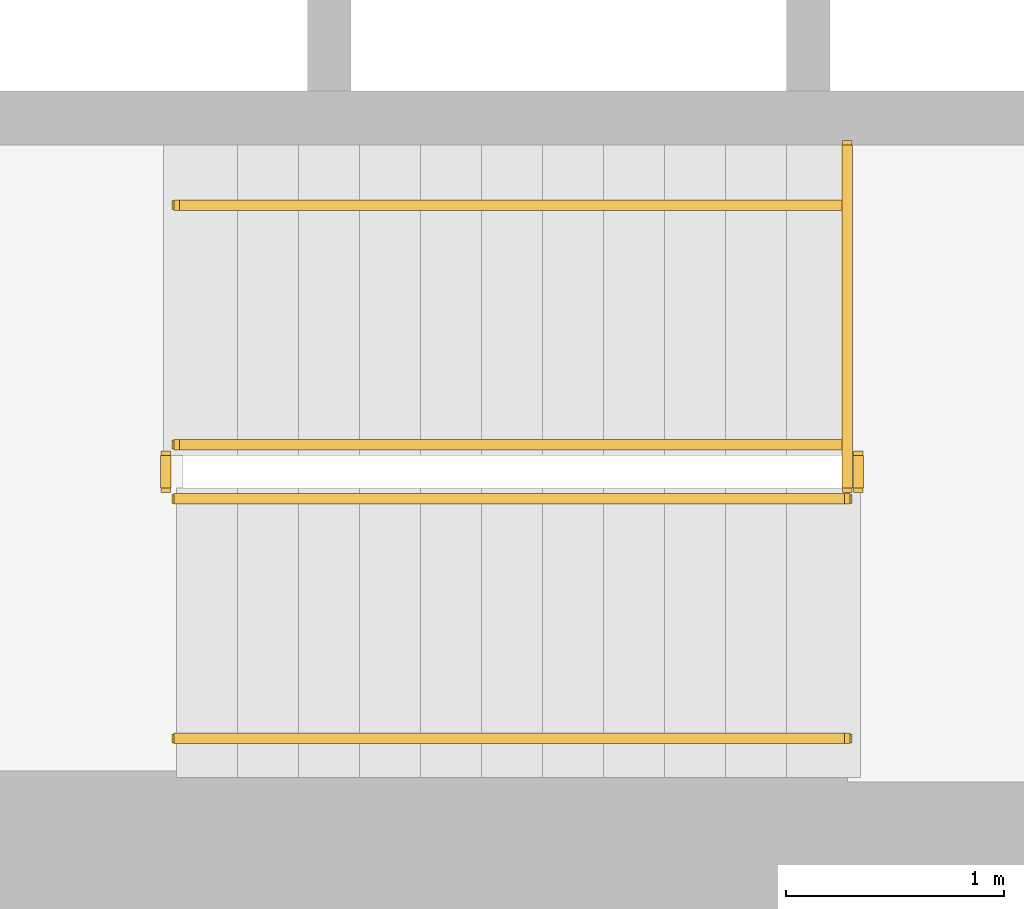
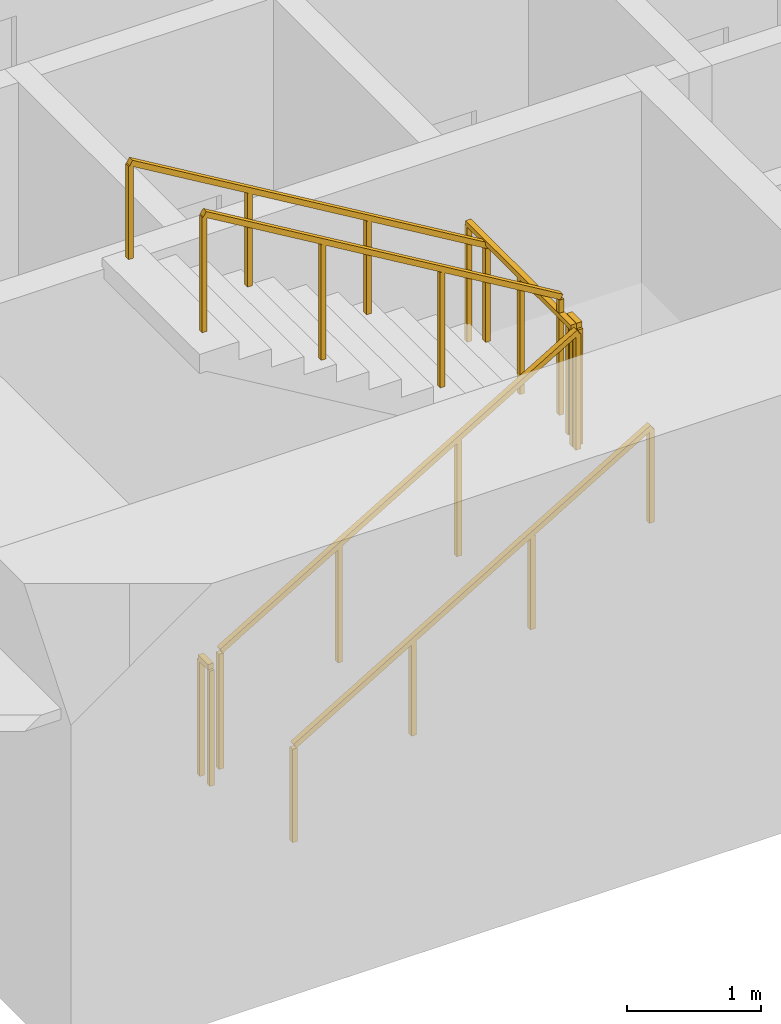
# One storey, part 13 of 16: 7 railings.
"""IFC4 building model written with IfcOpenShell, lengths in metres."""

from ifc_helpers import new_model, si_unit, direction, frame, origin, origin_2d, place, context, subcontext, project, spatial, rectangle, extrude, material, type_object, element, save


model = new_model("IFC4")

# Units and contexts
model_context = context("Model", 3, precision=1e-05, world=origin(), true_north=direction((0.0, 1.0)))
body_context = subcontext(model_context, "Body", "Model", "MODEL_VIEW")
ifc_project = project(units=[si_unit("LENGTHUNIT", "METRE"), si_unit("AREAUNIT", "SQUARE_METRE"), si_unit("VOLUMEUNIT", "CUBIC_METRE"), si_unit("PLANEANGLEUNIT", "RADIAN"), si_unit("MASSUNIT", "GRAM", prefix="KILO")], contexts=[model_context])

# Site, building, storey
site_placement = place(None, origin())
site = spatial("IfcSite", under=ifc_project, at=site_placement, CompositionType="ELEMENT")
building_placement = place(site_placement, origin())
building = spatial("IfcBuilding", under=site, at=building_placement, Name="Sennacour Bend Tower", CompositionType="ELEMENT")
storey_placement = place(building_placement, frame((0.0, 0.0, 73.0)))
storey = spatial("IfcBuildingStorey", under=building, at=storey_placement, Name="L16", CompositionType="ELEMENT", Elevation=73.0)

# Railings
ifc_material = material(Name="Stainless steel", Category="steel")
railing_type_1 = type_object("IfcRailingType", Name="RL-GUARD-1100", PredefinedType="GUARDRAIL", material=ifc_material)
railing_1_placement = place(storey_placement, frame((56.699951171875, 2.449951171875, 0.166748046875)))
element("IfcRailing", 1, at=railing_1_placement, inside=storey, type_object=railing_type_1, Name="L16 SA1 stair guard 1", PredefinedType="GUARDRAIL", context=body_context, shape_type="SweptSolid", body=[
    extrude(rectangle(XDim=0.048095703125, YDim=0.048095703125, at=origin_2d()), frame((0.0, 0.0, 1.076171875), z_axis=(0.859308565015, 0.0, 0.511457515432), x_axis=(0.0, 1.0, 0.0)), (0.0, 0.0, 1.0), 3.58447265625),
    extrude(rectangle(XDim=0.0419921875, YDim=0.0419921875, at=origin_2d()), origin(), (0.0, 0.0, 1.0), 1.052001953125),
    extrude(rectangle(XDim=0.0419921875, YDim=0.0419921875, at=origin_2d()), frame((1.026611328125, 0.0, 0.611083984375)), (0.0, 0.0, 1.0), 1.052001953125),
    extrude(rectangle(XDim=0.0419921875, YDim=0.0419921875, at=origin_2d()), frame((2.053466796875, 0.0, 1.22216796875)), (0.0, 0.0, 1.0), 1.052001953125),
    extrude(rectangle(XDim=0.0419921875, YDim=0.0419921875, at=origin_2d()), frame((3.080078125, 0.0, 1.833251953125)), (0.0, 0.0, 1.0), 1.052001953125),
])
railing_2_placement = place(storey_placement, frame((59.830078125, 2.5, 2.0)))
element("IfcRailing", 2, at=railing_2_placement, inside=storey, type_object=railing_type_1, Name="L16 SA1 stair guard 2", PredefinedType="GUARDRAIL", context=body_context, shape_type="SweptSolid", body=[
    extrude(rectangle(XDim=0.048095703125, YDim=0.048095703125, at=origin_2d()), frame((0.0, 0.0, 1.076171875), z_axis=(0.0, 1.0, 0.0), x_axis=(-1.0, 0.0, 0.0)), (0.0, 0.0, 1.0), 0.14990234375),
    extrude(rectangle(XDim=0.0419921875, YDim=0.0419921875, at=origin_2d()), origin(), (0.0, 0.0, 1.0), 1.052001953125),
    extrude(rectangle(XDim=0.0419921875, YDim=0.0419921875, at=origin_2d()), frame((0.0, 0.14990234375, 0.0)), (0.0, 0.0, 1.0), 1.052001953125),
])
railing_3_placement = place(storey_placement, frame((59.780029296875, 2.699951171875, 2.166748046875)))
element("IfcRailing", 3, at=railing_3_placement, inside=storey, type_object=railing_type_1, Name="L16 SA1 stair guard 4", PredefinedType="GUARDRAIL", context=body_context, shape_type="SweptSolid", body=[
    extrude(rectangle(XDim=0.048095703125, YDim=0.048095703125, at=origin_2d()), frame((0.0, 0.0, 1.076171875), z_axis=(-0.859308565015, 0.0, 0.511457515432), x_axis=(0.0, -1.0, 0.0)), (0.0, 0.0, 1.0), 3.58447265625),
    extrude(rectangle(XDim=0.0419921875, YDim=0.0419921875, at=origin_2d()), origin(), (0.0, 0.0, 1.0), 1.052001953125),
    extrude(rectangle(XDim=0.0419921875, YDim=0.0419921875, at=origin_2d()), frame((-1.026611328125, 0.0, 0.611083984375)), (0.0, 0.0, 1.0), 1.052001953125),
    extrude(rectangle(XDim=0.0419921875, YDim=0.0419921875, at=origin_2d()), frame((-2.053466796875, 0.0, 1.22216796875)), (0.0, 0.0, 1.0), 1.052001953125),
    extrude(rectangle(XDim=0.0419921875, YDim=0.0419921875, at=origin_2d()), frame((-3.080078125, 0.0, 1.833251953125)), (0.0, 0.0, 1.0), 1.052001953125),
])
railing_4_placement = place(storey_placement, frame((56.64990234375, 2.5, 0.0)))
element("IfcRailing", 4, at=railing_4_placement, inside=storey, type_object=railing_type_1, Name="L16 SA1 stair guard 5", PredefinedType="GUARDRAIL", context=body_context, shape_type="SweptSolid", body=[
    extrude(rectangle(XDim=0.048095703125, YDim=0.048095703125, at=origin_2d()), frame((0.0, 0.0, 1.076171875), z_axis=(0.0, 1.0, 0.0), x_axis=(-1.0, 0.0, 0.0)), (0.0, 0.0, 1.0), 0.14990234375),
    extrude(rectangle(XDim=0.0419921875, YDim=0.0419921875, at=origin_2d()), origin(), (0.0, 0.0, 1.0), 1.052001953125),
    extrude(rectangle(XDim=0.0419921875, YDim=0.0419921875, at=origin_2d()), frame((0.0, 0.14990234375, 0.0)), (0.0, 0.0, 1.0), 1.052001953125),
])
railing_5_placement = place(storey_placement, frame((59.780029296875, 2.5, 2.0)))
element("IfcRailing", 5, at=railing_5_placement, inside=storey, type_object=railing_type_1, Name="L16 SA1 landing edge guard 31", PredefinedType="GUARDRAIL", context=body_context, shape_type="SweptSolid", body=[
    extrude(rectangle(XDim=0.048095703125, YDim=0.048095703125, at=origin_2d()), frame((0.0, 0.0, 1.076171875), z_axis=(0.0, 1.0, 0.0), x_axis=(-1.0, 0.0, 0.0)), (0.0, 0.0, 1.0), 1.574951171875),
    extrude(rectangle(XDim=0.0419921875, YDim=0.0419921875, at=origin_2d()), origin(), (0.0, 0.0, 1.0), 1.052001953125),
    extrude(rectangle(XDim=0.0419921875, YDim=0.0419921875, at=origin_2d()), frame((0.0, 0.78759765625, 0.0)), (0.0, 0.0, 1.0), 1.052001953125),
    extrude(rectangle(XDim=0.0419921875, YDim=0.0419921875, at=origin_2d()), frame((0.0, 1.574951171875, 0.0)), (0.0, 0.0, 1.0), 1.052001953125),
])
railing_type_2 = type_object("IfcRailingType", Name="RL-HANDRAIL-900", PredefinedType="HANDRAIL", material=ifc_material)
railing_6_placement = place(storey_placement, frame((56.699951171875, 1.35009765625, 0.166748046875)))
element("IfcRailing", 6, at=railing_6_placement, inside=storey, type_object=railing_type_2, Name="L16 SA1 stair handrail 1", PredefinedType="HANDRAIL", context=body_context, shape_type="SweptSolid", body=[
    extrude(rectangle(XDim=0.048095703125, YDim=0.048095703125, at=origin_2d()), frame((0.0, 0.0, 0.8759765625), z_axis=(0.859308565015, 0.0, 0.511457515432), x_axis=(0.0, 1.0, 0.0)), (0.0, 0.0, 1.0), 3.58447265625),
    extrude(rectangle(XDim=0.0419921875, YDim=0.0419921875, at=origin_2d()), origin(), (0.0, 0.0, 1.0), 0.851806640625),
    extrude(rectangle(XDim=0.0419921875, YDim=0.0419921875, at=origin_2d()), frame((1.026611328125, 0.0, 0.611083984375)), (0.0, 0.0, 1.0), 0.851806640625),
    extrude(rectangle(XDim=0.0419921875, YDim=0.0419921875, at=origin_2d()), frame((2.053466796875, 0.0, 1.22216796875)), (0.0, 0.0, 1.0), 0.851806640625),
    extrude(rectangle(XDim=0.0419921875, YDim=0.0419921875, at=origin_2d()), frame((3.080078125, 0.0, 1.833251953125)), (0.0, 0.0, 1.0), 0.851806640625),
])
railing_7_placement = place(storey_placement, frame((59.780029296875, 3.800048828125, 2.166748046875)))
element("IfcRailing", 7, at=railing_7_placement, inside=storey, type_object=railing_type_2, Name="L16 SA1 stair handrail 2", PredefinedType="HANDRAIL", context=body_context, shape_type="SweptSolid", body=[
    extrude(rectangle(XDim=0.048095703125, YDim=0.048095703125, at=origin_2d()), frame((0.0, 0.0, 0.8759765625), z_axis=(-0.859308565015, 0.0, 0.511457515432), x_axis=(0.0, -1.0, 0.0)), (0.0, 0.0, 1.0), 3.58447265625),
    extrude(rectangle(XDim=0.0419921875, YDim=0.0419921875, at=origin_2d()), origin(), (0.0, 0.0, 1.0), 0.851806640625),
    extrude(rectangle(XDim=0.0419921875, YDim=0.0419921875, at=origin_2d()), frame((-1.026611328125, 0.0, 0.611083984375)), (0.0, 0.0, 1.0), 0.851806640625),
    extrude(rectangle(XDim=0.0419921875, YDim=0.0419921875, at=origin_2d()), frame((-2.053466796875, 0.0, 1.22216796875)), (0.0, 0.0, 1.0), 0.851806640625),
    extrude(rectangle(XDim=0.0419921875, YDim=0.0419921875, at=origin_2d()), frame((-3.080078125, 0.0, 1.833251953125)), (0.0, 0.0, 1.0), 0.851806640625),
])

save(model, "model.ifc")
